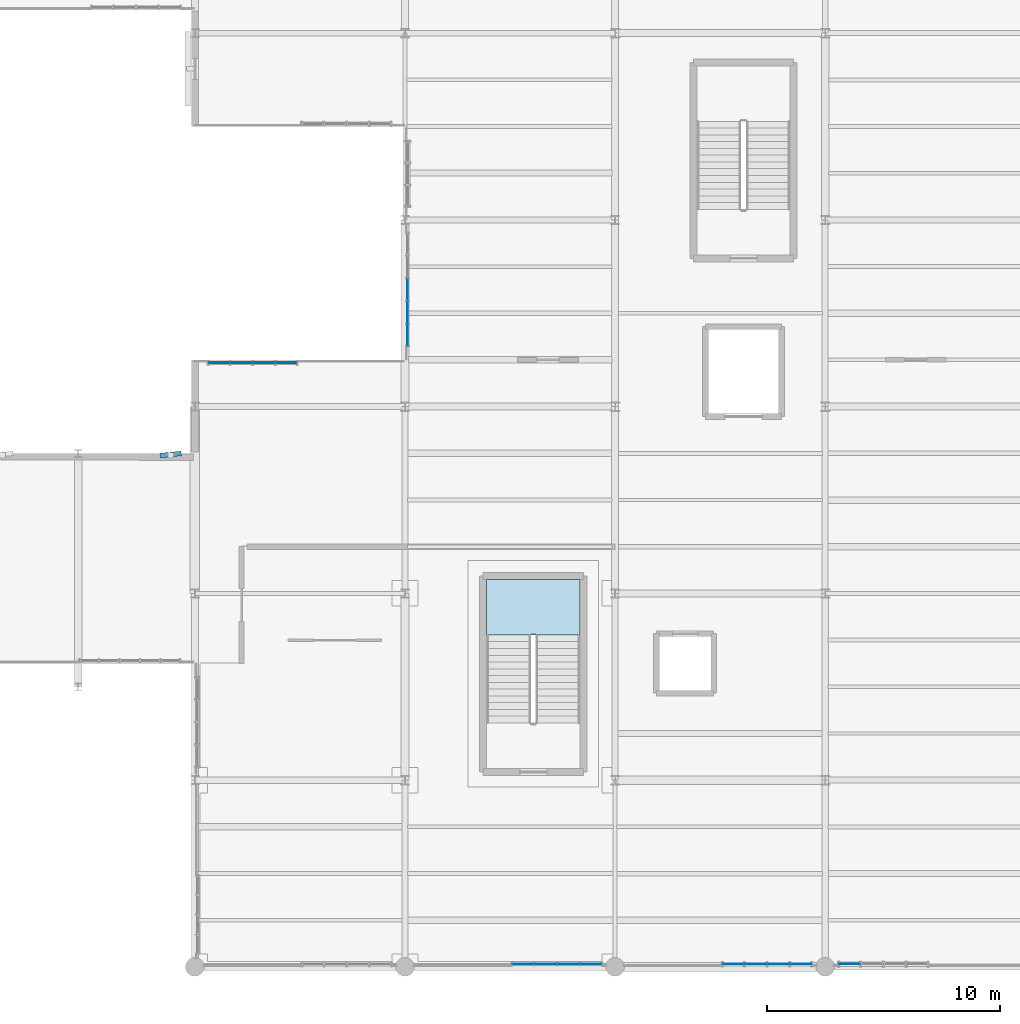
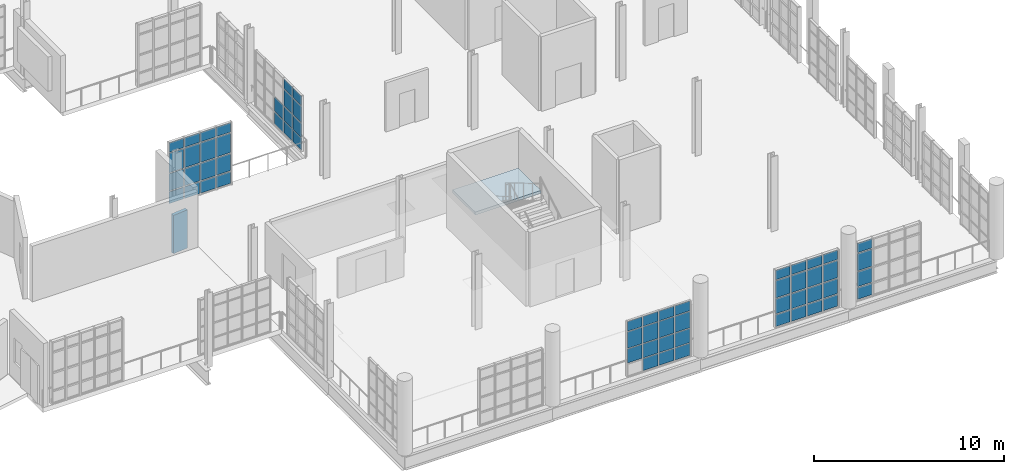
# One storey, part 82 of 122: 62 plates, 1 slab, 6 elements without a shape of their own.
"""IFC4 building model written with IfcOpenShell, lengths in metres."""

from ifc_helpers import new_model, si_unit, direction, frame, frame_2d, origin, origin_2d, place, context, subcontext, project, spatial, polyline, rectangle, outline, extrude, material, layer, layer_set, type_object, element, aggregate, save


model = new_model("IFC4")

# Units and contexts
model_context = context("Model", 3, precision=1e-05, world=origin(), true_north=direction((0.0, 1.0)))
body_context = subcontext(model_context, "Body", "Model", "MODEL_VIEW")
ifc_project = project(units=[si_unit("LENGTHUNIT", "METRE"), si_unit("AREAUNIT", "SQUARE_METRE"), si_unit("VOLUMEUNIT", "CUBIC_METRE"), si_unit("PLANEANGLEUNIT", "RADIAN"), si_unit("MASSUNIT", "GRAM", prefix="KILO"), si_unit("THERMODYNAMICTEMPERATUREUNIT", "KELVIN"), si_unit("POWERUNIT", "WATT")], contexts=[model_context])

# Site, building, storey
site_placement = place(None, origin())
site = spatial("IfcSite", under=ifc_project, at=site_placement, CompositionType="ELEMENT")
building_placement = place(site_placement, origin())
building = spatial("IfcBuilding", under=site, at=building_placement, Name="Zelmaris Science Centre", CompositionType="ELEMENT")
storey_placement = place(building_placement, frame((0.0, 0.0, 10.800048828125)))
storey = spatial("IfcBuildingStorey", under=building, at=storey_placement, Name="L02", CompositionType="ELEMENT", Elevation=10.800048828125)

# Curtain wall, plates
ifc_material_1 = material(Name="Anodised architectural aluminium 6063-T6", Category="aluminium")
ifc_layer_1 = layer(ifc_material_1, 0.18994140625, Name="Anodised architectural aluminium 6063-T6")
ifc_layer_set_1 = layer_set([ifc_layer_1], Name="Anodised architectural aluminium 6063-T6")
curtain_wall_type_1 = type_object("IfcCurtainWallType", Name="Curtain Wall CW-01", PredefinedType="USERDEFINED", material=ifc_layer_set_1)
curtain_wall_1_placement = place(storey_placement, origin())
curtain_wall_1 = element("IfcCurtainWall", 1, at=curtain_wall_1_placement, inside=storey, type_object=curtain_wall_type_1, Name="L02 Unitised curtain wall 237", ObjectType="GLAZED CURTAIN WALL", PredefinedType="USERDEFINED")
ifc_material_2 = material(Name="Laminated hurricane-rated low-E insulated glazing", Category="glass")
ifc_layer_2 = layer(ifc_material_2, 0.031982421875, Name="Laminated hurricane-rated low-E insulated glazing")
ifc_layer_set_2 = layer_set([ifc_layer_2], Name="Laminated hurricane-rated low-E insulated glazing")
plate_type_1 = type_object("IfcPlateType", Name="Curtain Glazing Panel CWP-1 32mm", PredefinedType="CURTAIN_PANEL", material=ifc_layer_set_2)
plate_1_placement = place(storey_placement, frame((136.04541015625, 8.1201171875, 0.05712890625), z_axis=(0.0, 0.0, 1.0), x_axis=(-1.0, 0.0, 0.0)))
plate_1 = element("IfcPlate", 2, at=plate_1_placement, type_object=plate_type_1, Name="CW-01 panel 4.1", PredefinedType="CURTAIN_PANEL", context=body_context, shape_type="SweptSolid", body=[
    extrude(rectangle(XDim=0.866943359375, YDim=0.031982421875, at=origin_2d()), origin(), (0.0, 0.0, 1.0), 0.741943359375),
])
plate_2_placement = place(storey_placement, frame((136.04541015625, 8.1201171875, 0.87109375), z_axis=(0.0, 0.0, 1.0), x_axis=(-1.0, 0.0, 0.0)))
plate_2 = element("IfcPlate", 3, at=plate_2_placement, type_object=plate_type_1, Name="CW-01 panel 4.2", PredefinedType="CURTAIN_PANEL", context=body_context, shape_type="SweptSolid", body=[
    extrude(rectangle(XDim=0.866943359375, YDim=0.031982421875, at=origin_2d()), origin(), (0.0, 0.0, 1.0), 0.949462890625),
])
plate_3_placement = place(storey_placement, frame((136.04541015625, 8.1201171875, 1.892333984375), z_axis=(0.0, 0.0, 1.0), x_axis=(-1.0, 0.0, 0.0)))
plate_3 = element("IfcPlate", 4, at=plate_3_placement, type_object=plate_type_1, Name="CW-01 panel 4.3", PredefinedType="CURTAIN_PANEL", context=body_context, shape_type="SweptSolid", body=[
    extrude(rectangle(XDim=0.866943359375, YDim=0.031982421875, at=origin_2d()), origin(), (0.0, 0.0, 1.0), 1.099609375),
])
plate_4_placement = place(storey_placement, frame((136.04541015625, 8.1201171875, 3.06396484375), z_axis=(0.0, 0.0, 1.0), x_axis=(-1.0, 0.0, 0.0)))
plate_4 = element("IfcPlate", 5, at=plate_4_placement, type_object=plate_type_1, Name="CW-01 panel 4.4", PredefinedType="CURTAIN_PANEL", context=body_context, shape_type="SweptSolid", body=[
    extrude(rectangle(XDim=0.866943359375, YDim=0.031982421875, at=origin_2d()), origin(), (0.0, 0.0, 1.0), 0.592041015625),
])
aggregate(curtain_wall_1, [plate_1, plate_2, plate_3, plate_4])

ifc_layer_3 = layer(ifc_material_1, 0.199951171875, Name="Anodised architectural aluminium 6063-T6")
ifc_layer_set_3 = layer_set([ifc_layer_3], Name="Anodised architectural aluminium 6063-T6")
curtain_wall_type_2 = type_object("IfcCurtainWallType", Name="Curtain Wall CW-02", PredefinedType="USERDEFINED", material=ifc_layer_set_3)
curtain_wall_2_placement = place(storey_placement, origin())
curtain_wall_2 = element("IfcCurtainWall", 6, at=curtain_wall_2_placement, inside=storey, type_object=curtain_wall_type_2, Name="L02 Unitised curtain wall 238", ObjectType="GLAZED CURTAIN WALL", PredefinedType="USERDEFINED")
ifc_layer_4 = layer(ifc_material_2, 0.028076171875, Name="Laminated hurricane-rated low-E insulated glazing")
ifc_layer_set_4 = layer_set([ifc_layer_4], Name="Laminated hurricane-rated low-E insulated glazing")
plate_type_2 = type_object("IfcPlateType", Name="Curtain Glazing Panel CWP-2 28mm", PredefinedType="CURTAIN_PANEL", material=ifc_layer_set_4)
plate_5_placement = place(storey_placement, frame((133.955810546875, 8.1201171875, 0.052001953125), z_axis=(0.0, 0.0, 1.0), x_axis=(-1.0, 0.0, 0.0)))
plate_5 = element("IfcPlate", 7, at=plate_5_placement, type_object=plate_type_2, Name="CW-02 panel 1.1", PredefinedType="CURTAIN_PANEL", context=body_context, shape_type="SweptSolid", body=[
    extrude(rectangle(XDim=0.87451171875, YDim=0.028076171875, at=origin_2d()), origin(), (0.0, 0.0, 1.0), 0.74951171875),
])
plate_6_placement = place(storey_placement, frame((133.955810546875, 8.1201171875, 0.868408203125), z_axis=(0.0, 0.0, 1.0), x_axis=(-1.0, 0.0, 0.0)))
plate_6 = element("IfcPlate", 8, at=plate_6_placement, type_object=plate_type_2, Name="CW-02 panel 1.2", PredefinedType="CURTAIN_PANEL", context=body_context, shape_type="SweptSolid", body=[
    extrude(rectangle(XDim=0.87451171875, YDim=0.028076171875, at=origin_2d()), origin(), (0.0, 0.0, 1.0), 0.95458984375),
])
plate_7_placement = place(storey_placement, frame((133.955810546875, 8.1201171875, 1.889892578125), z_axis=(0.0, 0.0, 1.0), x_axis=(-1.0, 0.0, 0.0)))
plate_7 = element("IfcPlate", 9, at=plate_7_placement, type_object=plate_type_2, Name="CW-02 panel 1.3", PredefinedType="CURTAIN_PANEL", context=body_context, shape_type="SweptSolid", body=[
    extrude(rectangle(XDim=0.87451171875, YDim=0.028076171875, at=origin_2d()), origin(), (0.0, 0.0, 1.0), 1.1044921875),
])
plate_8_placement = place(storey_placement, frame((133.955810546875, 8.1201171875, 3.061279296875), z_axis=(0.0, 0.0, 1.0), x_axis=(-1.0, 0.0, 0.0)))
plate_8 = element("IfcPlate", 10, at=plate_8_placement, type_object=plate_type_2, Name="CW-02 panel 1.4", PredefinedType="CURTAIN_PANEL", context=body_context, shape_type="SweptSolid", body=[
    extrude(rectangle(XDim=0.87451171875, YDim=0.028076171875, at=origin_2d()), origin(), (0.0, 0.0, 1.0), 0.599609375),
])
plate_9_placement = place(storey_placement, frame((132.99755859375, 8.1201171875, 0.052001953125), z_axis=(0.0, 0.0, 1.0), x_axis=(-1.0, 0.0, 0.0)))
plate_9 = element("IfcPlate", 11, at=plate_9_placement, type_object=plate_type_2, Name="CW-02 panel 2.1", PredefinedType="CURTAIN_PANEL", context=body_context, shape_type="SweptSolid", body=[
    extrude(rectangle(XDim=0.907958984375, YDim=0.028076171875, at=origin_2d()), origin(), (0.0, 0.0, 1.0), 0.74951171875),
])
plate_10_placement = place(storey_placement, frame((132.99755859375, 8.1201171875, 0.868408203125), z_axis=(0.0, 0.0, 1.0), x_axis=(-1.0, 0.0, 0.0)))
plate_10 = element("IfcPlate", 12, at=plate_10_placement, type_object=plate_type_2, Name="CW-02 panel 2.2", PredefinedType="CURTAIN_PANEL", context=body_context, shape_type="SweptSolid", body=[
    extrude(rectangle(XDim=0.907958984375, YDim=0.028076171875, at=origin_2d()), origin(), (0.0, 0.0, 1.0), 0.95458984375),
])
plate_11_placement = place(storey_placement, frame((132.99755859375, 8.1201171875, 1.889892578125), z_axis=(0.0, 0.0, 1.0), x_axis=(-1.0, 0.0, 0.0)))
plate_11 = element("IfcPlate", 13, at=plate_11_placement, type_object=plate_type_2, Name="CW-02 panel 2.3", PredefinedType="CURTAIN_PANEL", context=body_context, shape_type="SweptSolid", body=[
    extrude(rectangle(XDim=0.907958984375, YDim=0.028076171875, at=origin_2d()), origin(), (0.0, 0.0, 1.0), 1.1044921875),
])
plate_12_placement = place(storey_placement, frame((132.99755859375, 8.1201171875, 3.061279296875), z_axis=(0.0, 0.0, 1.0), x_axis=(-1.0, 0.0, 0.0)))
plate_12 = element("IfcPlate", 14, at=plate_12_placement, type_object=plate_type_2, Name="CW-02 panel 2.4", PredefinedType="CURTAIN_PANEL", context=body_context, shape_type="SweptSolid", body=[
    extrude(rectangle(XDim=0.907958984375, YDim=0.028076171875, at=origin_2d()), origin(), (0.0, 0.0, 1.0), 0.599609375),
])
plate_13_placement = place(storey_placement, frame((132.0224609375, 8.1201171875, 0.052001953125), z_axis=(0.0, 0.0, 1.0), x_axis=(-1.0, 0.0, 0.0)))
plate_13 = element("IfcPlate", 15, at=plate_13_placement, type_object=plate_type_2, Name="CW-02 panel 3.1", PredefinedType="CURTAIN_PANEL", context=body_context, shape_type="SweptSolid", body=[
    extrude(rectangle(XDim=0.907958984375, YDim=0.028076171875, at=origin_2d()), origin(), (0.0, 0.0, 1.0), 0.74951171875),
])
plate_14_placement = place(storey_placement, frame((132.0224609375, 8.1201171875, 0.868408203125), z_axis=(0.0, 0.0, 1.0), x_axis=(-1.0, 0.0, 0.0)))
plate_14 = element("IfcPlate", 16, at=plate_14_placement, type_object=plate_type_2, Name="CW-02 panel 3.2", PredefinedType="CURTAIN_PANEL", context=body_context, shape_type="SweptSolid", body=[
    extrude(rectangle(XDim=0.907958984375, YDim=0.028076171875, at=origin_2d()), origin(), (0.0, 0.0, 1.0), 0.95458984375),
])
plate_15_placement = place(storey_placement, frame((132.0224609375, 8.1201171875, 1.889892578125), z_axis=(0.0, 0.0, 1.0), x_axis=(-1.0, 0.0, 0.0)))
plate_15 = element("IfcPlate", 17, at=plate_15_placement, type_object=plate_type_2, Name="CW-02 panel 3.3", PredefinedType="CURTAIN_PANEL", context=body_context, shape_type="SweptSolid", body=[
    extrude(rectangle(XDim=0.907958984375, YDim=0.028076171875, at=origin_2d()), origin(), (0.0, 0.0, 1.0), 1.1044921875),
])
plate_16_placement = place(storey_placement, frame((132.0224609375, 8.1201171875, 3.061279296875), z_axis=(0.0, 0.0, 1.0), x_axis=(-1.0, 0.0, 0.0)))
plate_16 = element("IfcPlate", 18, at=plate_16_placement, type_object=plate_type_2, Name="CW-02 panel 3.4", PredefinedType="CURTAIN_PANEL", context=body_context, shape_type="SweptSolid", body=[
    extrude(rectangle(XDim=0.907958984375, YDim=0.028076171875, at=origin_2d()), origin(), (0.0, 0.0, 1.0), 0.599609375),
])
plate_17_placement = place(storey_placement, frame((131.064208984375, 8.1201171875, 0.052001953125), z_axis=(0.0, 0.0, 1.0), x_axis=(-1.0, 0.0, 0.0)))
plate_17 = element("IfcPlate", 19, at=plate_17_placement, type_object=plate_type_2, Name="CW-02 panel 4.1", PredefinedType="CURTAIN_PANEL", context=body_context, shape_type="SweptSolid", body=[
    extrude(rectangle(XDim=0.87451171875, YDim=0.028076171875, at=origin_2d()), origin(), (0.0, 0.0, 1.0), 0.74951171875),
])
plate_18_placement = place(storey_placement, frame((131.064208984375, 8.1201171875, 0.868408203125), z_axis=(0.0, 0.0, 1.0), x_axis=(-1.0, 0.0, 0.0)))
plate_18 = element("IfcPlate", 20, at=plate_18_placement, type_object=plate_type_2, Name="CW-02 panel 4.2", PredefinedType="CURTAIN_PANEL", context=body_context, shape_type="SweptSolid", body=[
    extrude(rectangle(XDim=0.87451171875, YDim=0.028076171875, at=origin_2d()), origin(), (0.0, 0.0, 1.0), 0.95458984375),
])
plate_19_placement = place(storey_placement, frame((131.064208984375, 8.1201171875, 1.889892578125), z_axis=(0.0, 0.0, 1.0), x_axis=(-1.0, 0.0, 0.0)))
plate_19 = element("IfcPlate", 21, at=plate_19_placement, type_object=plate_type_2, Name="CW-02 panel 4.3", PredefinedType="CURTAIN_PANEL", context=body_context, shape_type="SweptSolid", body=[
    extrude(rectangle(XDim=0.87451171875, YDim=0.028076171875, at=origin_2d()), origin(), (0.0, 0.0, 1.0), 1.1044921875),
])
plate_20_placement = place(storey_placement, frame((131.064208984375, 8.1201171875, 3.061279296875), z_axis=(0.0, 0.0, 1.0), x_axis=(-1.0, 0.0, 0.0)))
plate_20 = element("IfcPlate", 22, at=plate_20_placement, type_object=plate_type_2, Name="CW-02 panel 4.4", PredefinedType="CURTAIN_PANEL", context=body_context, shape_type="SweptSolid", body=[
    extrude(rectangle(XDim=0.87451171875, YDim=0.028076171875, at=origin_2d()), origin(), (0.0, 0.0, 1.0), 0.599609375),
])
aggregate(curtain_wall_2, [plate_5, plate_6, plate_7, plate_8, plate_9, plate_10, plate_11, plate_12, plate_13, plate_14, plate_15, plate_16, plate_17, plate_18, plate_19, plate_20])

curtain_wall_3_placement = place(storey_placement, origin())
curtain_wall_3 = element("IfcCurtainWall", 23, at=curtain_wall_3_placement, inside=storey, type_object=curtain_wall_type_2, Name="L02 Unitised curtain wall 262", ObjectType="GLAZED CURTAIN WALL", PredefinedType="USERDEFINED")
plate_21_placement = place(storey_placement, frame((109.04052734375, 33.8798828125, 0.052001953125), z_axis=(0.0, 0.0, 1.0), x_axis=(0.999999999666, 2.5840455e-05, 0.0)))
plate_21 = element("IfcPlate", 24, at=plate_21_placement, type_object=plate_type_2, Name="CW-02 panel 1.1", PredefinedType="CURTAIN_PANEL", context=body_context, shape_type="SweptSolid", body=[
    extrude(rectangle(XDim=0.866943359375, YDim=0.028076171875, at=origin_2d()), origin(), (0.0, 0.0, 1.0), 0.74951171875),
])
plate_22_placement = place(storey_placement, frame((109.04052734375, 33.8798828125, 0.868408203125), z_axis=(0.0, 0.0, 1.0), x_axis=(0.999999999666, 2.5840455e-05, 0.0)))
plate_22 = element("IfcPlate", 25, at=plate_22_placement, type_object=plate_type_2, Name="CW-02 panel 1.2", PredefinedType="CURTAIN_PANEL", context=body_context, shape_type="SweptSolid", body=[
    extrude(rectangle(XDim=0.866943359375, YDim=0.028076171875, at=origin_2d()), origin(), (0.0, 0.0, 1.0), 1.1005859375),
])
plate_23_placement = place(storey_placement, frame((109.04052734375, 33.8798828125, 2.035888671875), z_axis=(0.0, 0.0, 1.0), x_axis=(0.999999999666, 2.5840455e-05, 0.0)))
plate_23 = element("IfcPlate", 26, at=plate_23_placement, type_object=plate_type_2, Name="CW-02 panel 1.3", PredefinedType="CURTAIN_PANEL", context=body_context, shape_type="SweptSolid", body=[
    extrude(rectangle(XDim=0.866943359375, YDim=0.028076171875, at=origin_2d()), origin(), (0.0, 0.0, 1.0), 1.25048828125),
])
plate_24_placement = place(storey_placement, frame((109.04052734375, 33.8798828125, 3.353515625), z_axis=(0.0, 0.0, 1.0), x_axis=(0.999999999666, 2.5840455e-05, 0.0)))
plate_24 = element("IfcPlate", 27, at=plate_24_placement, type_object=plate_type_2, Name="CW-02 panel 1.4", PredefinedType="CURTAIN_PANEL", context=body_context, shape_type="SweptSolid", body=[
    extrude(rectangle(XDim=0.866943359375, YDim=0.028076171875, at=origin_2d()), origin(), (0.0, 0.0, 1.0), 0.599609375),
])
plate_25_placement = place(storey_placement, frame((109.9912109375, 33.8798828125, 0.052001953125), z_axis=(0.0, 0.0, 1.0), x_axis=(0.999999999666, 2.5840455e-05, 0.0)))
plate_25 = element("IfcPlate", 28, at=plate_25_placement, type_object=plate_type_2, Name="CW-02 panel 2.1", PredefinedType="CURTAIN_PANEL", context=body_context, shape_type="SweptSolid", body=[
    extrude(rectangle(XDim=0.900390625, YDim=0.028076171875, at=origin_2d()), origin(), (0.0, 0.0, 1.0), 0.74951171875),
])
plate_26_placement = place(storey_placement, frame((109.9912109375, 33.8798828125, 0.868408203125), z_axis=(0.0, 0.0, 1.0), x_axis=(0.999999999666, 2.5840455e-05, 0.0)))
plate_26 = element("IfcPlate", 29, at=plate_26_placement, type_object=plate_type_2, Name="CW-02 panel 2.2", PredefinedType="CURTAIN_PANEL", context=body_context, shape_type="SweptSolid", body=[
    extrude(rectangle(XDim=0.900390625, YDim=0.028076171875, at=origin_2d()), origin(), (0.0, 0.0, 1.0), 1.1005859375),
])
plate_27_placement = place(storey_placement, frame((109.9912109375, 33.8798828125, 2.035888671875), z_axis=(0.0, 0.0, 1.0), x_axis=(0.999999999666, 2.5840455e-05, 0.0)))
plate_27 = element("IfcPlate", 30, at=plate_27_placement, type_object=plate_type_2, Name="CW-02 panel 2.3", PredefinedType="CURTAIN_PANEL", context=body_context, shape_type="SweptSolid", body=[
    extrude(rectangle(XDim=0.900390625, YDim=0.028076171875, at=origin_2d()), origin(), (0.0, 0.0, 1.0), 1.25048828125),
])
plate_28_placement = place(storey_placement, frame((109.9912109375, 33.8798828125, 3.353515625), z_axis=(0.0, 0.0, 1.0), x_axis=(0.999999999666, 2.5840455e-05, 0.0)))
plate_28 = element("IfcPlate", 31, at=plate_28_placement, type_object=plate_type_2, Name="CW-02 panel 2.4", PredefinedType="CURTAIN_PANEL", context=body_context, shape_type="SweptSolid", body=[
    extrude(rectangle(XDim=0.900390625, YDim=0.028076171875, at=origin_2d()), origin(), (0.0, 0.0, 1.0), 0.599609375),
])
plate_29_placement = place(storey_placement, frame((110.958740234375, 33.8798828125, 0.052001953125), z_axis=(0.0, 0.0, 1.0), x_axis=(0.999999999666, 2.5840455e-05, 0.0)))
plate_29 = element("IfcPlate", 32, at=plate_29_placement, type_object=plate_type_2, Name="CW-02 panel 3.1", PredefinedType="CURTAIN_PANEL", context=body_context, shape_type="SweptSolid", body=[
    extrude(rectangle(XDim=0.900390625, YDim=0.028076171875, at=origin_2d()), origin(), (0.0, 0.0, 1.0), 0.74951171875),
])
plate_30_placement = place(storey_placement, frame((110.958740234375, 33.8798828125, 0.868408203125), z_axis=(0.0, 0.0, 1.0), x_axis=(0.999999999666, 2.5840455e-05, 0.0)))
plate_30 = element("IfcPlate", 33, at=plate_30_placement, type_object=plate_type_2, Name="CW-02 panel 3.2", PredefinedType="CURTAIN_PANEL", context=body_context, shape_type="SweptSolid", body=[
    extrude(rectangle(XDim=0.900390625, YDim=0.028076171875, at=origin_2d()), origin(), (0.0, 0.0, 1.0), 1.1005859375),
])
plate_31_placement = place(storey_placement, frame((110.958740234375, 33.8798828125, 2.035888671875), z_axis=(0.0, 0.0, 1.0), x_axis=(0.999999999666, 2.5840455e-05, 0.0)))
plate_31 = element("IfcPlate", 34, at=plate_31_placement, type_object=plate_type_2, Name="CW-02 panel 3.3", PredefinedType="CURTAIN_PANEL", context=body_context, shape_type="SweptSolid", body=[
    extrude(rectangle(XDim=0.900390625, YDim=0.028076171875, at=origin_2d()), origin(), (0.0, 0.0, 1.0), 1.25048828125),
])
plate_32_placement = place(storey_placement, frame((110.958740234375, 33.8798828125, 3.353515625), z_axis=(0.0, 0.0, 1.0), x_axis=(0.999999999666, 2.5840455e-05, 0.0)))
plate_32 = element("IfcPlate", 35, at=plate_32_placement, type_object=plate_type_2, Name="CW-02 panel 3.4", PredefinedType="CURTAIN_PANEL", context=body_context, shape_type="SweptSolid", body=[
    extrude(rectangle(XDim=0.900390625, YDim=0.028076171875, at=origin_2d()), origin(), (0.0, 0.0, 1.0), 0.599609375),
])
plate_33_placement = place(storey_placement, frame((111.909423828125, 33.8798828125, 0.052001953125), z_axis=(0.0, 0.0, 1.0), x_axis=(0.999999999666, 2.5840455e-05, 0.0)))
plate_33 = element("IfcPlate", 36, at=plate_33_placement, type_object=plate_type_2, Name="CW-02 panel 4.1", PredefinedType="CURTAIN_PANEL", context=body_context, shape_type="SweptSolid", body=[
    extrude(rectangle(XDim=0.866943359375, YDim=0.028076171875, at=origin_2d()), origin(), (0.0, 0.0, 1.0), 0.74951171875),
])
plate_34_placement = place(storey_placement, frame((111.909423828125, 33.8798828125, 0.868408203125), z_axis=(0.0, 0.0, 1.0), x_axis=(0.999999999666, 2.5840455e-05, 0.0)))
plate_34 = element("IfcPlate", 37, at=plate_34_placement, type_object=plate_type_2, Name="CW-02 panel 4.2", PredefinedType="CURTAIN_PANEL", context=body_context, shape_type="SweptSolid", body=[
    extrude(rectangle(XDim=0.866943359375, YDim=0.028076171875, at=origin_2d()), origin(), (0.0, 0.0, 1.0), 1.1005859375),
])
plate_35_placement = place(storey_placement, frame((111.909423828125, 33.8798828125, 2.035888671875), z_axis=(0.0, 0.0, 1.0), x_axis=(0.999999999666, 2.5840455e-05, 0.0)))
plate_35 = element("IfcPlate", 38, at=plate_35_placement, type_object=plate_type_2, Name="CW-02 panel 4.3", PredefinedType="CURTAIN_PANEL", context=body_context, shape_type="SweptSolid", body=[
    extrude(rectangle(XDim=0.866943359375, YDim=0.028076171875, at=origin_2d()), origin(), (0.0, 0.0, 1.0), 1.25048828125),
])
plate_36_placement = place(storey_placement, frame((111.909423828125, 33.8798828125, 3.353515625), z_axis=(0.0, 0.0, 1.0), x_axis=(0.999999999666, 2.5840455e-05, 0.0)))
plate_36 = element("IfcPlate", 39, at=plate_36_placement, type_object=plate_type_2, Name="CW-02 panel 4.4", PredefinedType="CURTAIN_PANEL", context=body_context, shape_type="SweptSolid", body=[
    extrude(rectangle(XDim=0.866943359375, YDim=0.028076171875, at=origin_2d()), origin(), (0.0, 0.0, 1.0), 0.599609375),
])
aggregate(curtain_wall_3, [plate_21, plate_22, plate_23, plate_24, plate_25, plate_26, plate_27, plate_28, plate_29, plate_30, plate_31, plate_32, plate_33, plate_34, plate_35, plate_36])

ifc_layer_5 = layer(ifc_material_1, 0.219970703125, Name="Anodised architectural aluminium 6063-T6")
ifc_layer_set_5 = layer_set([ifc_layer_5], Name="Anodised architectural aluminium 6063-T6")
curtain_wall_type_3 = type_object("IfcCurtainWallType", Name="Curtain Wall CW-04", PredefinedType="USERDEFINED", material=ifc_layer_set_5)
curtain_wall_4_placement = place(storey_placement, origin())
curtain_wall_4 = element("IfcCurtainWall", 40, at=curtain_wall_4_placement, inside=storey, type_object=curtain_wall_type_3, Name="L02 Unitised curtain wall 240", ObjectType="GLAZED CURTAIN WALL", PredefinedType="USERDEFINED")
ifc_layer_6 = layer(ifc_material_2, 0.02392578125, Name="Laminated hurricane-rated low-E insulated glazing")
ifc_layer_set_6 = layer_set([ifc_layer_6], Name="Laminated hurricane-rated low-E insulated glazing")
plate_type_3 = type_object("IfcPlateType", Name="Curtain Glazing Panel CWP-4 24mm", PredefinedType="CURTAIN_PANEL", material=ifc_layer_set_6)
plate_37_placement = place(storey_placement, frame((124.95947265625, 8.1201171875, 0.036865234375), z_axis=(0.0, 0.0, 1.0), x_axis=(-1.0, 0.0, 0.0)))
plate_37 = element("IfcPlate", 41, at=plate_37_placement, type_object=plate_type_3, Name="CW-04 panel 1.1", PredefinedType="CURTAIN_PANEL", context=body_context, shape_type="SweptSolid", body=[
    extrude(rectangle(XDim=0.89697265625, YDim=0.02392578125, at=origin_2d()), origin(), (0.0, 0.0, 1.0), 0.77197265625),
])
plate_38_placement = place(storey_placement, frame((124.95947265625, 8.1201171875, 0.86083984375), z_axis=(0.0, 0.0, 1.0), x_axis=(-1.0, 0.0, 0.0)))
plate_38 = element("IfcPlate", 42, at=plate_38_placement, type_object=plate_type_3, Name="CW-04 panel 1.2", PredefinedType="CURTAIN_PANEL", context=body_context, shape_type="SweptSolid", body=[
    extrude(rectangle(XDim=0.89697265625, YDim=0.02392578125, at=origin_2d()), origin(), (0.0, 0.0, 1.0), 0.89453125),
])
plate_39_placement = place(storey_placement, frame((124.95947265625, 8.1201171875, 1.807373046875), z_axis=(0.0, 0.0, 1.0), x_axis=(-1.0, 0.0, 0.0)))
plate_39 = element("IfcPlate", 43, at=plate_39_placement, type_object=plate_type_3, Name="CW-04 panel 1.3", PredefinedType="CURTAIN_PANEL", context=body_context, shape_type="SweptSolid", body=[
    extrude(rectangle(XDim=0.89697265625, YDim=0.02392578125, at=origin_2d()), origin(), (0.0, 0.0, 1.0), 1.04443359375),
])
plate_40_placement = place(storey_placement, frame((124.95947265625, 8.1201171875, 2.90380859375), z_axis=(0.0, 0.0, 1.0), x_axis=(-1.0, 0.0, 0.0)))
plate_40 = element("IfcPlate", 44, at=plate_40_placement, type_object=plate_type_3, Name="CW-04 panel 1.4", PredefinedType="CURTAIN_PANEL", context=body_context, shape_type="SweptSolid", body=[
    extrude(rectangle(XDim=0.89697265625, YDim=0.02392578125, at=origin_2d()), origin(), (0.0, 0.0, 1.0), 0.6220703125),
])
plate_41_placement = place(storey_placement, frame((123.99755859375, 8.1201171875, 0.036865234375), z_axis=(0.0, 0.0, 1.0), x_axis=(-1.0, 0.0, 0.0)))
plate_41 = element("IfcPlate", 45, at=plate_41_placement, type_object=plate_type_3, Name="CW-04 panel 2.1", PredefinedType="CURTAIN_PANEL", context=body_context, shape_type="SweptSolid", body=[
    extrude(rectangle(XDim=0.923095703125, YDim=0.02392578125, at=origin_2d()), origin(), (0.0, 0.0, 1.0), 0.77197265625),
])
plate_42_placement = place(storey_placement, frame((123.99755859375, 8.1201171875, 0.86083984375), z_axis=(0.0, 0.0, 1.0), x_axis=(-1.0, 0.0, 0.0)))
plate_42 = element("IfcPlate", 46, at=plate_42_placement, type_object=plate_type_3, Name="CW-04 panel 2.2", PredefinedType="CURTAIN_PANEL", context=body_context, shape_type="SweptSolid", body=[
    extrude(rectangle(XDim=0.923095703125, YDim=0.02392578125, at=origin_2d()), origin(), (0.0, 0.0, 1.0), 0.89453125),
])
plate_43_placement = place(storey_placement, frame((123.99755859375, 8.1201171875, 1.807373046875), z_axis=(0.0, 0.0, 1.0), x_axis=(-1.0, 0.0, 0.0)))
plate_43 = element("IfcPlate", 47, at=plate_43_placement, type_object=plate_type_3, Name="CW-04 panel 2.3", PredefinedType="CURTAIN_PANEL", context=body_context, shape_type="SweptSolid", body=[
    extrude(rectangle(XDim=0.923095703125, YDim=0.02392578125, at=origin_2d()), origin(), (0.0, 0.0, 1.0), 1.04443359375),
])
plate_44_placement = place(storey_placement, frame((123.99755859375, 8.1201171875, 2.90380859375), z_axis=(0.0, 0.0, 1.0), x_axis=(-1.0, 0.0, 0.0)))
plate_44 = element("IfcPlate", 48, at=plate_44_placement, type_object=plate_type_3, Name="CW-04 panel 2.4", PredefinedType="CURTAIN_PANEL", context=body_context, shape_type="SweptSolid", body=[
    extrude(rectangle(XDim=0.923095703125, YDim=0.02392578125, at=origin_2d()), origin(), (0.0, 0.0, 1.0), 0.6220703125),
])
plate_45_placement = place(storey_placement, frame((123.0224609375, 8.1201171875, 0.036865234375), z_axis=(0.0, 0.0, 1.0), x_axis=(-1.0, 0.0, 0.0)))
plate_45 = element("IfcPlate", 49, at=plate_45_placement, type_object=plate_type_3, Name="CW-04 panel 3.1", PredefinedType="CURTAIN_PANEL", context=body_context, shape_type="SweptSolid", body=[
    extrude(rectangle(XDim=0.923095703125, YDim=0.02392578125, at=origin_2d()), origin(), (0.0, 0.0, 1.0), 0.77197265625),
])
plate_46_placement = place(storey_placement, frame((123.0224609375, 8.1201171875, 0.86083984375), z_axis=(0.0, 0.0, 1.0), x_axis=(-1.0, 0.0, 0.0)))
plate_46 = element("IfcPlate", 50, at=plate_46_placement, type_object=plate_type_3, Name="CW-04 panel 3.2", PredefinedType="CURTAIN_PANEL", context=body_context, shape_type="SweptSolid", body=[
    extrude(rectangle(XDim=0.923095703125, YDim=0.02392578125, at=origin_2d()), origin(), (0.0, 0.0, 1.0), 0.89453125),
])
plate_47_placement = place(storey_placement, frame((123.0224609375, 8.1201171875, 1.807373046875), z_axis=(0.0, 0.0, 1.0), x_axis=(-1.0, 0.0, 0.0)))
plate_47 = element("IfcPlate", 51, at=plate_47_placement, type_object=plate_type_3, Name="CW-04 panel 3.3", PredefinedType="CURTAIN_PANEL", context=body_context, shape_type="SweptSolid", body=[
    extrude(rectangle(XDim=0.923095703125, YDim=0.02392578125, at=origin_2d()), origin(), (0.0, 0.0, 1.0), 1.04443359375),
])
plate_48_placement = place(storey_placement, frame((123.0224609375, 8.1201171875, 2.90380859375), z_axis=(0.0, 0.0, 1.0), x_axis=(-1.0, 0.0, 0.0)))
plate_48 = element("IfcPlate", 52, at=plate_48_placement, type_object=plate_type_3, Name="CW-04 panel 3.4", PredefinedType="CURTAIN_PANEL", context=body_context, shape_type="SweptSolid", body=[
    extrude(rectangle(XDim=0.923095703125, YDim=0.02392578125, at=origin_2d()), origin(), (0.0, 0.0, 1.0), 0.6220703125),
])
plate_49_placement = place(storey_placement, frame((122.060546875, 8.1201171875, 0.86083984375), z_axis=(0.0, 0.0, 1.0), x_axis=(-1.0, 0.0, 0.0)))
plate_49 = element("IfcPlate", 53, at=plate_49_placement, type_object=plate_type_3, Name="CW-04 panel 4.2", PredefinedType="CURTAIN_PANEL", context=body_context, shape_type="SweptSolid", body=[
    extrude(rectangle(XDim=0.89697265625, YDim=0.02392578125, at=origin_2d()), origin(), (0.0, 0.0, 1.0), 0.89453125),
])
plate_50_placement = place(storey_placement, frame((122.060546875, 8.1201171875, 1.807373046875), z_axis=(0.0, 0.0, 1.0), x_axis=(-1.0, 0.0, 0.0)))
plate_50 = element("IfcPlate", 54, at=plate_50_placement, type_object=plate_type_3, Name="CW-04 panel 4.3", PredefinedType="CURTAIN_PANEL", context=body_context, shape_type="SweptSolid", body=[
    extrude(rectangle(XDim=0.89697265625, YDim=0.02392578125, at=origin_2d()), origin(), (0.0, 0.0, 1.0), 1.04443359375),
])
plate_51_placement = place(storey_placement, frame((122.060546875, 8.1201171875, 2.90380859375), z_axis=(0.0, 0.0, 1.0), x_axis=(-1.0, 0.0, 0.0)))
plate_51 = element("IfcPlate", 55, at=plate_51_placement, type_object=plate_type_3, Name="CW-04 panel 4.4", PredefinedType="CURTAIN_PANEL", context=body_context, shape_type="SweptSolid", body=[
    extrude(rectangle(XDim=0.89697265625, YDim=0.02392578125, at=origin_2d()), origin(), (0.0, 0.0, 1.0), 0.6220703125),
])
aggregate(curtain_wall_4, [plate_37, plate_38, plate_39, plate_40, plate_41, plate_42, plate_43, plate_44, plate_45, plate_46, plate_47, plate_48, plate_49, plate_50, plate_51])

curtain_wall_5_placement = place(storey_placement, origin())
curtain_wall_5 = element("IfcCurtainWall", 56, at=curtain_wall_5_placement, inside=storey, type_object=curtain_wall_type_3, Name="L02 Unitised curtain wall 264", ObjectType="GLAZED CURTAIN WALL", PredefinedType="USERDEFINED")
plate_52_placement = place(storey_placement, frame((117.11083984375, 35.06884765625, 0.036865234375), z_axis=(0.0, 0.0, 1.0), x_axis=(0.001021804788, 0.999999477957, 0.0)))
plate_52 = element("IfcPlate", 57, at=plate_52_placement, type_object=plate_type_3, Name="CW-04 panel 1.1", PredefinedType="CURTAIN_PANEL", context=body_context, shape_type="SweptSolid", body=[
    extrude(rectangle(XDim=0.900634765625, YDim=0.02392578125, at=origin_2d()), origin(), (0.0, 0.0, 1.0), 0.77197265625),
])
plate_53_placement = place(storey_placement, frame((117.11083984375, 35.06884765625, 0.86083984375), z_axis=(0.0, 0.0, 1.0), x_axis=(0.001021804788, 0.999999477957, 0.0)))
plate_53 = element("IfcPlate", 58, at=plate_53_placement, type_object=plate_type_3, Name="CW-04 panel 1.2", PredefinedType="CURTAIN_PANEL", context=body_context, shape_type="SweptSolid", body=[
    extrude(rectangle(XDim=0.900634765625, YDim=0.02392578125, at=origin_2d()), origin(), (0.0, 0.0, 1.0), 0.89453125),
])
plate_54_placement = place(storey_placement, frame((117.11083984375, 35.06884765625, 1.807373046875), z_axis=(0.0, 0.0, 1.0), x_axis=(0.001021804788, 0.999999477957, 0.0)))
plate_54 = element("IfcPlate", 59, at=plate_54_placement, type_object=plate_type_3, Name="CW-04 panel 1.3", PredefinedType="CURTAIN_PANEL", context=body_context, shape_type="SweptSolid", body=[
    extrude(rectangle(XDim=0.900634765625, YDim=0.02392578125, at=origin_2d()), origin(), (0.0, 0.0, 1.0), 1.04443359375),
])
plate_55_placement = place(storey_placement, frame((117.11083984375, 35.06884765625, 2.90380859375), z_axis=(0.0, 0.0, 1.0), x_axis=(0.001021804788, 0.999999477957, 0.0)))
plate_55 = element("IfcPlate", 60, at=plate_55_placement, type_object=plate_type_3, Name="CW-04 panel 1.4", PredefinedType="CURTAIN_PANEL", context=body_context, shape_type="SweptSolid", body=[
    extrude(rectangle(XDim=0.900634765625, YDim=0.02392578125, at=origin_2d()), origin(), (0.0, 0.0, 1.0), 0.6220703125),
])
plate_56_placement = place(storey_placement, frame((117.11181640625, 36.03466796875, 0.036865234375), z_axis=(0.0, 0.0, 1.0), x_axis=(0.001021804788, 0.999999477957, 0.0)))
plate_56 = element("IfcPlate", 61, at=plate_56_placement, type_object=plate_type_3, Name="CW-04 panel 2.1", PredefinedType="CURTAIN_PANEL", context=body_context, shape_type="SweptSolid", body=[
    extrude(rectangle(XDim=0.9267578125, YDim=0.02392578125, at=origin_2d()), origin(), (0.0, 0.0, 1.0), 0.77197265625),
])
plate_57_placement = place(storey_placement, frame((117.11181640625, 36.03466796875, 0.86083984375), z_axis=(0.0, 0.0, 1.0), x_axis=(0.001021804788, 0.999999477957, 0.0)))
plate_57 = element("IfcPlate", 62, at=plate_57_placement, type_object=plate_type_3, Name="CW-04 panel 2.2", PredefinedType="CURTAIN_PANEL", context=body_context, shape_type="SweptSolid", body=[
    extrude(rectangle(XDim=0.9267578125, YDim=0.02392578125, at=origin_2d()), origin(), (0.0, 0.0, 1.0), 0.89453125),
])
plate_58_placement = place(storey_placement, frame((117.11181640625, 36.03466796875, 1.807373046875), z_axis=(0.0, 0.0, 1.0), x_axis=(0.001021804788, 0.999999477957, 0.0)))
plate_58 = element("IfcPlate", 63, at=plate_58_placement, type_object=plate_type_3, Name="CW-04 panel 2.3", PredefinedType="CURTAIN_PANEL", context=body_context, shape_type="SweptSolid", body=[
    extrude(rectangle(XDim=0.9267578125, YDim=0.02392578125, at=origin_2d()), origin(), (0.0, 0.0, 1.0), 1.04443359375),
])
plate_59_placement = place(storey_placement, frame((117.11181640625, 36.03466796875, 2.90380859375), z_axis=(0.0, 0.0, 1.0), x_axis=(0.001021804788, 0.999999477957, 0.0)))
plate_59 = element("IfcPlate", 64, at=plate_59_placement, type_object=plate_type_3, Name="CW-04 panel 2.4", PredefinedType="CURTAIN_PANEL", context=body_context, shape_type="SweptSolid", body=[
    extrude(rectangle(XDim=0.9267578125, YDim=0.02392578125, at=origin_2d()), origin(), (0.0, 0.0, 1.0), 0.6220703125),
])
plate_60_placement = place(storey_placement, frame((117.11279296875, 37.01318359375, 0.036865234375), z_axis=(0.0, 0.0, 1.0), x_axis=(0.001021804788, 0.999999477957, 0.0)))
plate_60 = element("IfcPlate", 65, at=plate_60_placement, type_object=plate_type_3, Name="CW-04 panel 3.1", PredefinedType="CURTAIN_PANEL", context=body_context, shape_type="SweptSolid", body=[
    extrude(rectangle(XDim=0.9267578125, YDim=0.02392578125, at=origin_2d()), origin(), (0.0, 0.0, 1.0), 0.77197265625),
])
plate_61_placement = place(storey_placement, frame((117.11279296875, 37.01318359375, 0.86083984375), z_axis=(0.0, 0.0, 1.0), x_axis=(0.001021804788, 0.999999477957, 0.0)))
plate_61 = element("IfcPlate", 66, at=plate_61_placement, type_object=plate_type_3, Name="CW-04 panel 3.2", PredefinedType="CURTAIN_PANEL", context=body_context, shape_type="SweptSolid", body=[
    extrude(rectangle(XDim=0.9267578125, YDim=0.02392578125, at=origin_2d()), origin(), (0.0, 0.0, 1.0), 0.89453125),
])
aggregate(curtain_wall_5, [plate_52, plate_53, plate_54, plate_55, plate_56, plate_57, plate_58, plate_59, plate_60, plate_61])

# Plate
ifc_material_3 = material(Name="Precast concrete C40/50", Category="concrete")
ifc_layer_7 = layer(ifc_material_3, 0.199951171875, Name="Precast concrete C40/50")
ifc_layer_set_7 = layer_set([ifc_layer_7], Name="Precast concrete C40/50")
plate_type_4 = type_object("IfcPlateType", Name="Precast Facet Panel FP-10 200mm", PredefinedType="SHEET", material=ifc_layer_set_7)
plate_62_placement = place(storey_placement, frame((106.514892578125, 29.90234375, 0.02001953125), z_axis=(0.0, 0.0, 1.0), x_axis=(0.994945909262, 0.100412338102, 0.0)))
element("IfcPlate", 67, at=plate_62_placement, inside=storey, type_object=plate_type_4, Name="L02 Folded precast facet panel 105", PredefinedType="SHEET", context=body_context, shape_type="SweptSolid", body=[
    extrude(rectangle(XDim=0.904541015625, YDim=0.199951171875, at=frame_2d((0.4521484375, 0.0))), origin(), (0.0, 0.0, 1.0), 2.4599609375),
])

# Stair, slab
ifc_material_4 = material(Name="Concrete C40/50", Category="concrete")
stair_type = type_object("IfcStairType", Name="Exit Stair ST-B W1900", PredefinedType="HALF_TURN_STAIR", material=ifc_material_4)
stair_placement = place(storey_placement, origin())
stair = element("IfcStair", 68, at=stair_placement, inside=storey, type_object=stair_type, Name="L02 Exit Stair Core ST-4", PredefinedType="HALF_TURN_STAIR")
ifc_material_5 = material(Name="Concrete C35/45", Category="concrete")
ifc_layer_8 = layer(ifc_material_5, 0.18994140625, Name="Concrete C35/45")
ifc_layer_set_8 = layer_set([ifc_layer_8], Name="Concrete C35/45")
slab_type = type_object("IfcSlabType", Name="Slab SL-LD190 190mm", PredefinedType="LANDING", material=ifc_layer_set_8)
slab_placement = place(storey_placement, frame((0.0, 0.0, 2.2099609375)))
slab = element("IfcSlab", 69, at=slab_placement, type_object=slab_type, Name="ST-4 landing 1", PredefinedType="LANDING", context=body_context, shape_type="SweptSolid", body=[
    extrude(outline(polyline([(124.5, 22.219970703125), (124.5, 24.60009765625), (120.5, 24.60009765625), (120.5, 22.219970703125), (124.5, 22.219970703125)])), origin(), (0.0, 0.0, 1.0), 0.18994140625),
])
aggregate(stair, [slab])

save(model, "model.ifc")
